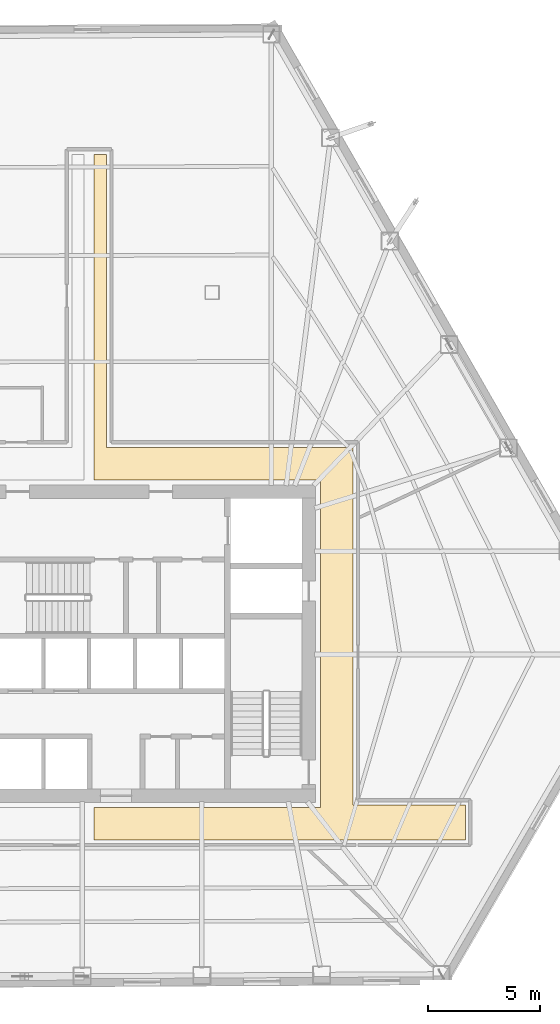
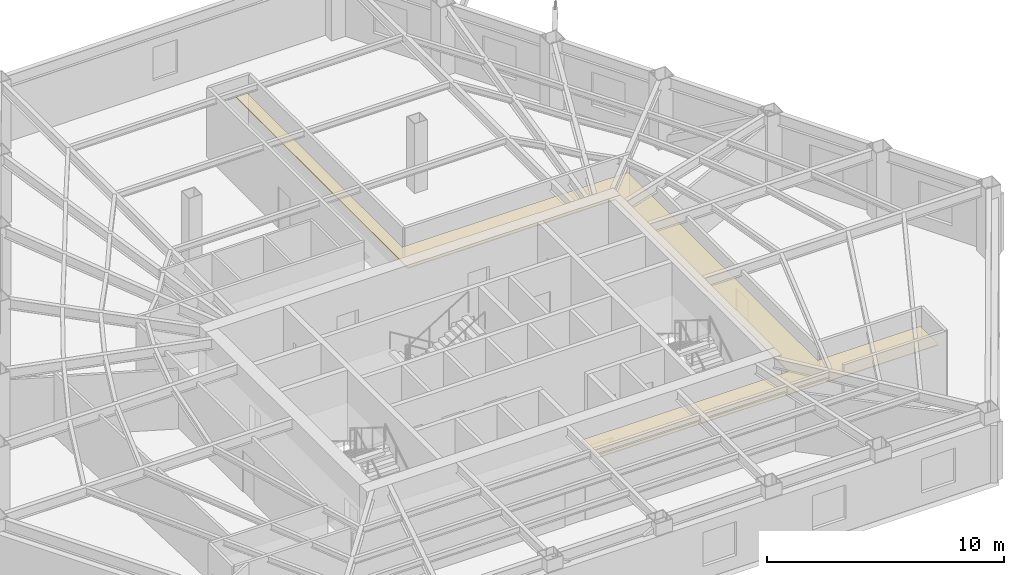
# One storey, part 12 of 12: 1 covering.
"""IFC4 building model written with IfcOpenShell, lengths in metres."""

from ifc_helpers import new_model, si_unit, direction, frame, origin, place, context, subcontext, project, spatial, polyline, outline, extrude, material, layer, layer_set, type_object, element, save


model = new_model("IFC4")

# Units and contexts
model_context = context("Model", 3, precision=1e-05, world=origin(), true_north=direction((0.0, 1.0)))
body_context = subcontext(model_context, "Body", "Model", "MODEL_VIEW")
ifc_project = project(units=[si_unit("LENGTHUNIT", "METRE"), si_unit("AREAUNIT", "SQUARE_METRE"), si_unit("VOLUMEUNIT", "CUBIC_METRE"), si_unit("PLANEANGLEUNIT", "RADIAN"), si_unit("MASSUNIT", "GRAM", prefix="KILO")], contexts=[model_context])

# Site, building, storey
site_placement = place(None, origin())
site = spatial("IfcSite", under=ifc_project, at=site_placement, CompositionType="ELEMENT")
building_placement = place(site_placement, origin())
building = spatial("IfcBuilding", under=site, at=building_placement, Name="Kavelnor Concourse Tower", CompositionType="ELEMENT")
storey_placement = place(building_placement, frame((0.0, 0.0, 6.0)))
storey = spatial("IfcBuildingStorey", under=building, at=storey_placement, Name="L01", CompositionType="ELEMENT", Elevation=6.0)

# Covering
ifc_material = material(Name="Mineral fibre acoustic ceiling tile")
ifc_layer = layer(ifc_material, 0.0400390625, Name="Mineral fibre acoustic ceiling tile")
ifc_layer_set = layer_set([ifc_layer], Name="Mineral fibre acoustic ceiling tile")
covering_type = type_object("IfcCoveringType", Name="COV-CEILING-ACOUSTIC", PredefinedType="CEILING", material=ifc_layer_set)
covering_placement = place(storey_placement, frame((0.0, 0.0, 2.75)))
element("IfcCovering", 1, at=covering_placement, inside=storey, type_object=covering_type, Name="L01 Suspended Acoustic Ceiling", PredefinedType="CEILING", context=body_context, shape_type="SweptSolid", body=[
    extrude(outline(polyline([(38.780029296875, 37.97998046875), (38.780029296875, 24.8798828125), (49.800048828125, 24.8798828125), (49.800048828125, 8.8798828125), (54.8203125, 8.8798828125), (54.8203125, 7.320068359375), (38.22509765625, 7.320068359375), (38.22509765625, 8.780029296875), (48.340087890625, 8.780029296875), (48.340087890625, 23.419921875), (38.22509765625, 23.419921875), (38.22509765625, 37.97998046875), (38.780029296875, 37.97998046875)])), origin(), (0.0, 0.0, 1.0), 0.0400390625),
])

save(model, "model.ifc")
